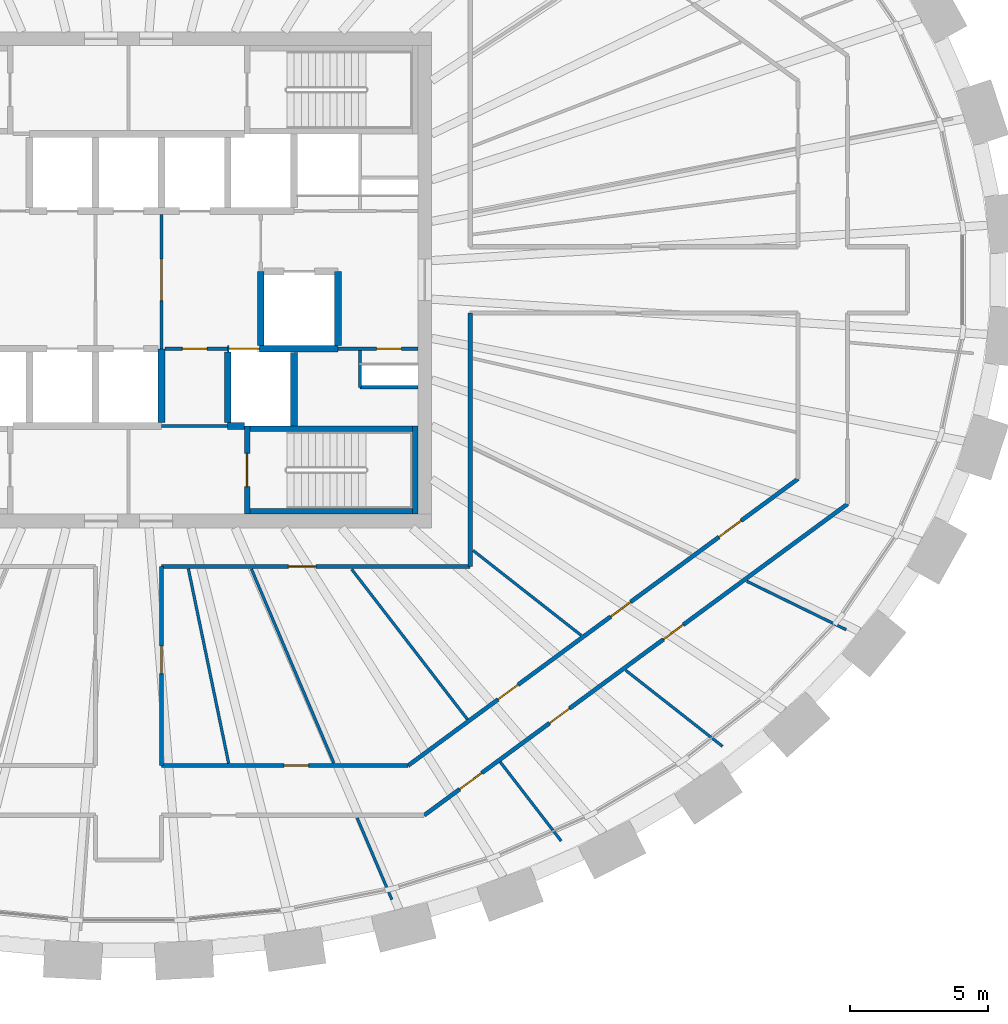
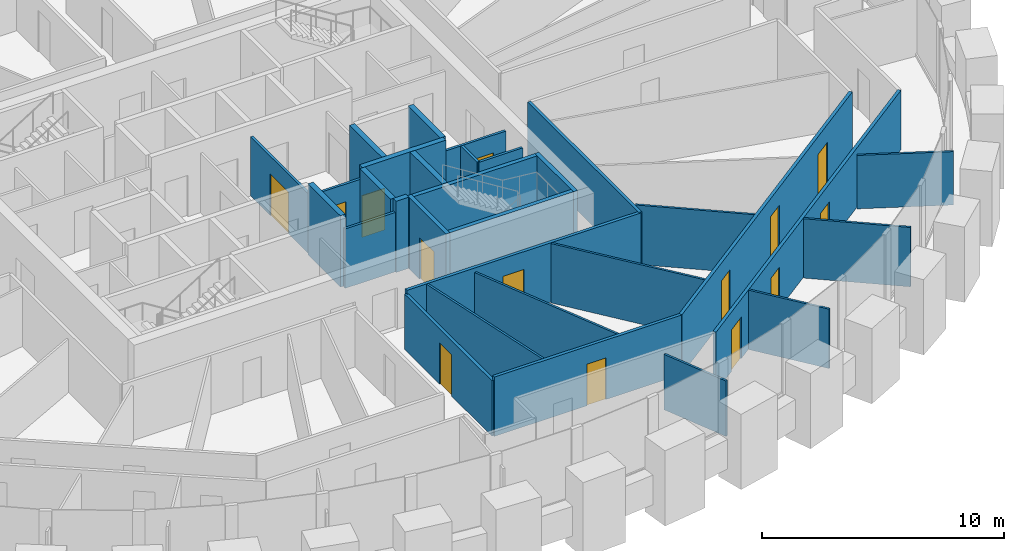
# One storey, part 8 of 12: 31 walls, 14 doors, 14 openings.
"""IFC4 building model written with IfcOpenShell, lengths in metres."""

import ifcopenshell
import ifcopenshell.guid

model = None  # the IFC model being written
_history = None  # IfcOwnerHistory: only IFC2X3 demands one
_inside = {}  # id of a spatial element -> (the spatial element, [elements in it])
_under = {}  # id of a project, library or spatial element -> (it, [spatial elements below it])
_declared = {}  # id of a project -> (the project, [libraries it declares])
_typed = {}  # id of a type object -> (the type object, [elements of that type])
_made_of = {}  # id of a material, layer set ... -> (it, [elements and type objects made of it])


def new_model(schema):
    """Start an empty IFC model of exactly this schema.

    Asked for "IFC4X3", IfcOpenShell would pick the latest addendum, in which some entities
    have other attributes; the version numbers below select the first issue.
    IFC2X3 requires an IfcOwnerHistory on every rooted entity: one is made here for all.
    """
    global model, _history
    if schema == "IFC4X3":
        model = ifcopenshell.file(schema_version=(4, 3, 0, 0))
    else:
        model = ifcopenshell.file(schema=schema)
    _inside.clear()
    _under.clear()
    _declared.clear()
    _typed.clear()
    _made_of.clear()
    _history = None
    if model.schema == "IFC2X3":
        org = make("IfcOrganization", Name="unknown")
        user = make(
            "IfcPersonAndOrganization",
            ThePerson=make("IfcPerson", FamilyName="unknown"),
            TheOrganization=org,
        )
        app = make(
            "IfcApplication",
            ApplicationDeveloper=org,
            Version="unknown",
            ApplicationFullName="unknown",
            ApplicationIdentifier="unknown",
        )
        _history = make(
            "IfcOwnerHistory",
            OwningUser=user,
            OwningApplication=app,
            ChangeAction="ADDED",
            CreationDate=0,
        )
    return model


def make(cls, **values):
    """One entity of the class cls with the attributes given. An attribute that is None is left unset."""
    return model.create_entity(
        cls, **{name: value for name, value in values.items() if value is not None}
    )


def rooted(cls, **values):
    """An entity with a GlobalId (a new one), such as an element, a storey or a relation."""
    return make(cls, GlobalId=ifcopenshell.guid.new(), OwnerHistory=_history, **values)


def si_unit(unit_type, name, prefix=None):
    """IfcSIUnit, for example si_unit("LENGTHUNIT", "METRE", prefix="MILLI")."""
    return make("IfcSIUnit", UnitType=unit_type, Prefix=prefix, Name=name)


def assignment(units):
    """IfcUnitAssignment: the units of a project."""
    return None if units is None else make("IfcUnitAssignment", Units=units)


def point(xyz):
    """IfcCartesianPoint."""
    return None if xyz is None else make("IfcCartesianPoint", Coordinates=xyz)


def direction(xyz):
    """IfcDirection."""
    return None if xyz is None else make("IfcDirection", DirectionRatios=xyz)


def frame(location, z_axis=None, x_axis=None):
    """IfcAxis2Placement3D, a coordinate frame: its origin and axes. An axis left out is left unset."""
    return make(
        "IfcAxis2Placement3D",
        Location=point(location),
        Axis=direction(z_axis),
        RefDirection=direction(x_axis),
    )


def frame_2d(location, x_axis=None):
    """IfcAxis2Placement2D, a coordinate frame in the plane: its origin and x axis."""
    return make(
        "IfcAxis2Placement2D", Location=point(location), RefDirection=direction(x_axis)
    )


def origin():
    """The frame at (0, 0, 0) with its axes left unset."""
    return frame((0.0, 0.0, 0.0))


def place(relative_to, where):
    """IfcLocalPlacement: puts the frame where relative to a parent placement (None: the world)."""
    return make(
        "IfcLocalPlacement", PlacementRelTo=relative_to, RelativePlacement=where
    )


def context(
    kind, dimensions, precision=None, world=None, true_north=None, identifier=None
):
    """IfcGeometricRepresentationContext, for example the 3D "Model" context."""
    return make(
        "IfcGeometricRepresentationContext",
        ContextIdentifier=identifier,
        ContextType=kind,
        CoordinateSpaceDimension=dimensions,
        Precision=precision,
        WorldCoordinateSystem=world,
        TrueNorth=true_north,
    )


def subcontext(parent, identifier, kind, view, scale=None):
    """IfcGeometricRepresentationSubContext, for example "Body" below "Model"."""
    return make(
        "IfcGeometricRepresentationSubContext",
        ContextIdentifier=identifier,
        ContextType=kind,
        ParentContext=parent,
        TargetScale=scale,
        TargetView=view,
    )


def project(units=None, contexts=None):
    """IfcProject with its units and contexts."""
    return rooted(
        "IfcProject",
        Name="project",
        RepresentationContexts=contexts,
        UnitsInContext=assignment(units),
    )


def spatial(cls, under=None, at=None, **own):
    """A site, building, storey or space (cls), placed at a placement, below another one or the project."""
    s = rooted(cls, ObjectPlacement=at, **own)
    if under is not None:
        _under.setdefault(under.id(), (under, []))[1].append(s)
    return s


def profile(cls, at=None, kind="AREA", **sizes):
    """A parametric profile (cls). Its sizes go by their IFC names, for example OverallWidth=200.0."""
    return make(cls, ProfileType=kind, Position=at, **sizes)


def rectangle(**sizes):
    """IfcRectangleProfileDef."""
    return profile("IfcRectangleProfileDef", **sizes)


def extrude(swept, where, along, depth):
    """IfcExtrudedAreaSolid: the profile swept, set in the frame where, extruded along a direction by depth."""
    return make(
        "IfcExtrudedAreaSolid",
        SweptArea=swept,
        Position=where,
        ExtrudedDirection=direction(along),
        Depth=depth,
    )


def shape(context_of_items, identifier, shape_type, items):
    """IfcShapeRepresentation: the items that make up one representation, for example the "Body"."""
    return make(
        "IfcShapeRepresentation",
        ContextOfItems=context_of_items,
        RepresentationIdentifier=identifier,
        RepresentationType=shape_type,
        Items=items,
    )


def source(mapping_origin, context_of_items, identifier, shape_type, items):
    """IfcRepresentationMap: a shape defined once, which mapped items show again and again."""
    return make(
        "IfcRepresentationMap",
        MappingOrigin=mapping_origin,
        MappedRepresentation=shape(context_of_items, identifier, shape_type, items),
    )


def transform(
    local_origin,
    x_axis=None,
    y_axis=None,
    z_axis=None,
    scale=None,
    scale2=None,
    scale3=None,
    uniform=True,
):
    """IfcCartesianTransformationOperator3D, or its non-uniform kind. x_axis, y_axis, z_axis: its Axis1, 2, 3."""
    if uniform:
        return make(
            "IfcCartesianTransformationOperator3D",
            Axis1=direction(x_axis),
            Axis2=direction(y_axis),
            LocalOrigin=point(local_origin),
            Scale=scale,
            Axis3=direction(z_axis),
        )
    return make(
        "IfcCartesianTransformationOperator3DnonUniform",
        Axis1=direction(x_axis),
        Axis2=direction(y_axis),
        LocalOrigin=point(local_origin),
        Scale=scale,
        Axis3=direction(z_axis),
        Scale2=scale2,
        Scale3=scale3,
    )


def mapped(mapping_source, mapping_target):
    """IfcMappedItem: shows the shape of a source again, moved by a transform."""
    return make(
        "IfcMappedItem", MappingSource=mapping_source, MappingTarget=mapping_target
    )


def material(Name=None, Category=None):
    """IfcMaterial."""
    return make("IfcMaterial", Name=Name, Category=Category)


def layer(
    of_material, thickness, ventilated=None, Name=None, Category=None, Priority=None
):
    """IfcMaterialLayer: one layer of a wall or slab, of a material (None: an air gap)."""
    return make(
        "IfcMaterialLayer",
        Material=of_material,
        LayerThickness=thickness,
        IsVentilated=ventilated,
        Name=Name,
        Category=Category,
        Priority=Priority,
    )


def layer_set(layers, Name=None):
    """IfcMaterialLayerSet."""
    return make("IfcMaterialLayerSet", MaterialLayers=layers, LayerSetName=Name)


def made_of(thing, what):
    """Note that an element or type object is made of a material, layer set ...; save() writes the relation."""
    if what is not None:
        _made_of.setdefault(what.id(), (what, []))[1].append(thing)
    return thing


def type_object(cls, material=None, **own):
    """A type object (cls), such as IfcWallType, which elements share."""
    return made_of(rooted(cls, **own), material)


def element(
    cls,
    number,
    at=None,
    inside=None,
    cuts=None,
    type_object=None,
    material=None,
    context=None,
    identifier="Body",
    shape_type=None,
    held_by="IfcProductDefinitionShape",
    body=None,
    shapes=None,
    **own,
):
    """One element of the class cls, such as IfcWall. Its Tag is "e" and its number.

    at: its placement. inside: the storey or other place that contains it. cuts: it is an
    opening in that element (IfcRelVoidsElement). A single representation is given by context,
    identifier, shape_type and body (its items); several are given by shapes. held_by: the class
    of the entity that holds the representations. save() writes the other relations.
    """
    e = rooted(cls, Tag="e%d" % number, ObjectPlacement=at, **own)
    if body is not None:
        shapes = [shape(context, identifier, shape_type, body)]
    if shapes is not None:
        e.Representation = make(held_by, Representations=shapes)
    if inside is not None:
        _inside.setdefault(inside.id(), (inside, []))[1].append(e)
    if cuts is not None:
        rooted(
            "IfcRelVoidsElement", RelatingBuildingElement=cuts, RelatedOpeningElement=e
        )
    if type_object is not None:
        _typed.setdefault(type_object.id(), (type_object, []))[1].append(e)
    return made_of(e, material)


def fill(opening, filler):
    """IfcRelFillsElement: the door or window that sits in an opening."""
    return rooted(
        "IfcRelFillsElement",
        RelatingOpeningElement=opening,
        RelatedBuildingElement=filler,
    )


def aggregate(whole, parts):
    """IfcRelAggregates: a whole, such as a stair, and the parts it consists of."""
    return rooted("IfcRelAggregates", RelatingObject=whole, RelatedObjects=parts)


def save(model, path):
    """Write the relations noted so far, then the file.

    IfcRelAggregates (storeys below a building ...), IfcRelContainedInSpatialStructure (elements
    in a storey), IfcRelDefinesByType, IfcRelAssociatesMaterial and IfcRelDeclares: one each for
    every whole, place, type object, material and project.
    """
    for whole, parts in _under.values():
        aggregate(whole, parts)
    for where, things in _inside.values():
        rooted(
            "IfcRelContainedInSpatialStructure",
            RelatedElements=things,
            RelatingStructure=where,
        )
    for kind, things in _typed.values():
        rooted("IfcRelDefinesByType", RelatedObjects=things, RelatingType=kind)
    for what, things in _made_of.values():
        rooted("IfcRelAssociatesMaterial", RelatedObjects=things, RelatingMaterial=what)
    for by, libraries in _declared.values():
        rooted("IfcRelDeclares", RelatingContext=by, RelatedDefinitions=libraries)
    model.write(path)


model = new_model("IFC4")

# Units and contexts
model_context = context("Model", 3, precision=1e-05, world=origin(), true_north=direction((0.0, 1.0)))
body_context = subcontext(model_context, "Body", "Model", "MODEL_VIEW")
ifc_project = project(units=[si_unit("LENGTHUNIT", "METRE"), si_unit("AREAUNIT", "SQUARE_METRE"), si_unit("VOLUMEUNIT", "CUBIC_METRE"), si_unit("PLANEANGLEUNIT", "RADIAN"), si_unit("MASSUNIT", "GRAM", prefix="KILO")], contexts=[model_context])

# Site, building, storey
site_placement = place(None, origin())
site = spatial("IfcSite", under=ifc_project, at=site_placement, CompositionType="ELEMENT")
building_placement = place(site_placement, origin())
building = spatial("IfcBuilding", under=site, at=building_placement, Name="Embergate Tower", CompositionType="ELEMENT")
storey_placement = place(building_placement, frame((0.0, 0.0, 285.10009765625)))
storey = spatial("IfcBuildingStorey", under=building, at=storey_placement, Name="L66", CompositionType="ELEMENT", Elevation=285.10009765625)

# Walls
ifc_material_1 = material(Name="Concrete C50", Category="concrete")
ifc_layer_1 = layer(ifc_material_1, 0.25)
ifc_layer_set_1 = layer_set([ifc_layer_1], Name="Concrete C50")
wall_type_1 = type_object("IfcWallType", Name="Hoistway wall reinforced concrete 250", PredefinedType="SHEAR", material=ifc_layer_set_1)
shared_shape_1 = source(origin(), body_context, "Body", "SweptSolid", [
    extrude(rectangle(XDim=2.675048828125, YDim=0.25, at=frame_2d((1.33740234375, 0.0))), origin(), (0.0, 0.0, 1.0), 3.599853515625),
])
for number, where, z_axis, x_axis, name in (
    (1, (1.199951171875, -5.175048828125, 0.0), (0.0, 0.0, 1.0), (0.0, 1.0, 0.0), "HW-1 wall"),
    (2, (4.800048828125, -2.375, 0.0), (0.0, 0.0, 1.0), (0.0, 1.0, 0.0), "HW-1 wall"),
    (3, (7.60009765625, -2.375, 0.0), (0.0, 0.0, 1.0), (0.0, 1.0, 0.0), "HW-1 wall"),
):
    element("IfcWall", number, at=place(storey_placement, frame(where, z_axis=z_axis, x_axis=x_axis)), inside=storey, type_object=wall_type_1, Name=name, PredefinedType="SHEAR", context=body_context, shape_type="MappedRepresentation", body=[
        mapped(shared_shape_1, transform((0.0, 0.0, 0.0))),
    ])
ifc_layer_2 = layer(ifc_material_1, 0.199951171875)
ifc_layer_set_2 = layer_set([ifc_layer_2], Name="Concrete C50")
wall_type_2 = type_object("IfcWallType", Name="Stair enclosure wall reinforced concrete 250", PredefinedType="SHEAR", material=ifc_layer_set_2)
shared_shape_2 = source(origin(), body_context, "Body", "SweptSolid", [
    extrude(rectangle(XDim=6.300048828125, YDim=0.199951171875, at=frame_2d((3.14990234375, 0.0))), origin(), (0.0, 0.0, 1.0), 3.599853515625),
])
wall_1_placement = place(storey_placement, frame((4.199951171875, -5.39990234375, 0.0), z_axis=(0.0, 0.0, 1.0), x_axis=(1.0, 0.0, 0.0)))
element("IfcWall", 4, at=wall_1_placement, inside=storey, type_object=wall_type_2, Name="SE-1 wall", PredefinedType="SHEAR", context=body_context, shape_type="MappedRepresentation", body=[
    mapped(shared_shape_2, transform((0.0, 0.0, 0.0))),
])
shared_shape_3 = source(origin(), body_context, "Body", "SweptSolid", [
    extrude(rectangle(XDim=2.550048828125, YDim=0.25, at=frame_2d((1.27490234375, 0.0))), origin(), (0.0, 0.0, 1.0), 3.599853515625),
])
wall_2_placement = place(storey_placement, frame((3.60009765625, -2.625, 0.0), z_axis=(0.0, 0.0, 1.0), x_axis=(0.0, -1.0, 0.0)))
element("IfcWall", 5, at=wall_2_placement, inside=storey, type_object=wall_type_1, Name="HW-1 wall", PredefinedType="SHEAR", context=body_context, shape_type="MappedRepresentation", body=[
    mapped(shared_shape_3, transform((0.0, 0.0, 0.0))),
])

# Wall, opening, door
shared_shape_4 = source(origin(), body_context, "Body", "SweptSolid", [
    extrude(rectangle(XDim=3.199951171875, YDim=0.199951171875, at=frame_2d((1.60009765625, 0.0))), origin(), (0.0, 0.0, 1.0), 3.599853515625),
])
wall_3_placement = place(storey_placement, frame((4.300048828125, -5.300048828125, 0.0), z_axis=(0.0, 0.0, 1.0), x_axis=(0.0, -1.0, 0.0)))
wall_3 = element("IfcWall", 6, at=wall_3_placement, inside=storey, type_object=wall_type_2, Name="SE-1 wall", PredefinedType="SHEAR", context=body_context, shape_type="MappedRepresentation", body=[
    mapped(shared_shape_4, transform((0.0, 0.0, 0.0))),
])
shared_shape_5 = source(origin(), body_context, "Body", "SweptSolid", [
    extrude(rectangle(XDim=1.199951171875, YDim=2.10009765625, at=frame_2d((0.60009765625, 1.050048828125))), frame((0.0, 0.10986328125, 0.0), z_axis=(0.0, -1.0, 0.0), x_axis=(1.0, 0.0, 0.0)), (0.0, 0.0, 1.0), 0.219970703125),
])
opening_1_placement = place(wall_3_placement, frame((1.0, 0.0, 0.0)))
opening_1 = element("IfcOpeningElement", 7, at=opening_1_placement, cuts=wall_3, Name="Opening IF-2", PredefinedType="OPENING", context=body_context, shape_type="MappedRepresentation", body=[
    mapped(shared_shape_5, transform((0.0, 0.0, 0.0))),
])
ifc_material_2 = material(Name="Stair enclosure door 1200")
door_type_1 = type_object("IfcDoorType", Name="Stair enclosure door 1200", OperationType="SINGLE_SWING_LEFT", PredefinedType="DOOR", material=ifc_material_2)
shared_shape_6 = source(origin(), body_context, "Body", "SweptSolid", [
    extrude(rectangle(XDim=1.199951171875, YDim=2.10009765625, at=frame_2d((0.60009765625, 1.050048828125))), frame((0.0, 0.02490234375, 0.0), z_axis=(0.0, -1.0, 0.0), x_axis=(1.0, 0.0, 0.0)), (0.0, 0.0, 1.0), 0.050048828125),
])
door_1_placement = place(opening_1_placement, origin())
door_1 = element("IfcDoor", 8, at=door_1_placement, inside=storey, type_object=door_type_1, Name="IF-2 door", OperationType="SINGLE_SWING_RIGHT", OverallHeight=2.10009765625, OverallWidth=1.199951171875, PredefinedType="DOOR", context=body_context, shape_type="MappedRepresentation", body=[
    mapped(shared_shape_6, transform((0.0, 0.0, 0.0))),
])
fill(opening_1, door_1)

# Walls
wall_4_placement = place(storey_placement, frame((10.39990234375, -8.5, 0.0), z_axis=(0.0, 0.0, 1.0), x_axis=(0.0, 1.0, 0.0)))
element("IfcWall", 9, at=wall_4_placement, inside=storey, type_object=wall_type_2, Name="SE-1 wall", PredefinedType="SHEAR", context=body_context, shape_type="MappedRepresentation", body=[
    mapped(shared_shape_4, transform((0.0, 0.0, 0.0))),
])
shared_shape_7 = source(origin(), body_context, "Body", "SweptSolid", [
    extrude(rectangle(XDim=0.599853515625, YDim=0.25, at=frame_2d((0.2998046875, 0.0))), origin(), (0.0, 0.0, 1.0), 3.599853515625),
])
wall_5_placement = place(storey_placement, frame((3.60009765625, -5.300048828125, 0.0), z_axis=(0.0, 0.0, 1.0), x_axis=(1.0, 0.0, 0.0)))
element("IfcWall", 10, at=wall_5_placement, inside=storey, type_object=wall_type_1, Name="HW-1 wall", PredefinedType="SHEAR", context=body_context, shape_type="MappedRepresentation", body=[
    mapped(shared_shape_7, transform((0.0, 0.0, 0.0))),
])
shared_shape_8 = source(origin(), body_context, "Body", "SweptSolid", [
    extrude(rectangle(XDim=2.671142578125, YDim=0.25, at=frame_2d((1.33544921875, 0.0))), origin(), (0.0, 0.0, 1.0), 3.599853515625),
])
wall_6_placement = place(storey_placement, frame((6.0, -5.298095703125, 0.0), z_axis=(0.0, 0.0, 1.0), x_axis=(0.0, 1.0, 0.0)))
element("IfcWall", 11, at=wall_6_placement, inside=storey, type_object=wall_type_1, Name="HW-1 wall", PredefinedType="SHEAR", context=body_context, shape_type="MappedRepresentation", body=[
    mapped(shared_shape_8, transform((0.0, 0.0, 0.0))),
])
ifc_material_3 = material(Name="Partition dry-lined 100")
ifc_layer_3 = layer(ifc_material_3, 0.10009765625)
ifc_layer_set_3 = layer_set([ifc_layer_3], Name="Partition dry-lined 100")
wall_type_3 = type_object("IfcWallType", Name="Partition dry-lined 100", PredefinedType="PARTITIONING", material=ifc_layer_set_3)
shared_shape_9 = source(origin(), body_context, "Body", "SweptSolid", [
    extrude(rectangle(XDim=4.472412109375, YDim=0.10009765625, at=frame_2d((2.236328125, 0.0))), origin(), (0.0, 0.0, 1.0), 3.0),
])
wall_7_placement = place(storey_placement, frame((18.0390625, -14.166015625, 0.0), z_axis=(0.0, 0.0, 1.0), x_axis=(0.786539906833, -0.617539452148, 0.0)))
element("IfcWall", 12, at=wall_7_placement, inside=storey, type_object=wall_type_3, Name="IP-1 wall", PredefinedType="PARTITIONING", context=body_context, shape_type="MappedRepresentation", body=[
    mapped(shared_shape_9, transform((0.0, 0.0, 0.0))),
])

# Wall, openings, doors
ifc_material_4 = material(Name="Corridor wall dry-lined 150")
ifc_layer_4 = layer(ifc_material_4, 0.14990234375)
ifc_layer_set_4 = layer_set([ifc_layer_4], Name="Corridor wall dry-lined 150")
wall_type_4 = type_object("IfcWallType", Name="Corridor wall dry-lined 150", PredefinedType="PARTITIONING", material=ifc_layer_set_4)
shared_shape_10 = source(origin(), body_context, "Body", "SweptSolid", [
    extrude(rectangle(XDim=19.072265625, YDim=0.14990234375, at=frame_2d((9.5361328125, 0.0))), origin(), (0.0, 0.0, 1.0), 3.0),
])
wall_8_placement = place(storey_placement, frame((10.73193359375, -19.428955078125, 0.0), z_axis=(0.0, 0.0, 1.0), x_axis=(0.805618847725, 0.592434192287, 0.0)))
wall_8 = element("IfcWall", 13, at=wall_8_placement, inside=storey, type_object=wall_type_4, Name="IP-2 wall", PredefinedType="PARTITIONING", context=body_context, shape_type="MappedRepresentation", body=[
    mapped(shared_shape_10, transform((0.0, 0.0, 0.0))),
])
shared_shape_11 = source(origin(), body_context, "Body", "SweptSolid", [
    extrude(rectangle(XDim=1.0, YDim=2.10009765625, at=frame_2d((0.5, 1.050048828125))), frame((0.0, 0.0849609375, 0.0), z_axis=(0.0, -1.0, 0.0), x_axis=(1.0, 0.0, 0.0)), (0.0, 0.0, 1.0), 0.169921875),
])
opening_2_placement = place(wall_8_placement, frame((1.59228515625, 0.0, 0.0)))
opening_2 = element("IfcOpeningElement", 14, at=opening_2_placement, cuts=wall_8, Name="Opening ID-2", PredefinedType="OPENING", context=body_context, shape_type="MappedRepresentation", body=[
    mapped(shared_shape_11, transform((0.0, 0.0, 0.0))),
])
shared_shape_12 = source(origin(), body_context, "Body", "SweptSolid", [
    extrude(rectangle(XDim=0.89990234375, YDim=2.10009765625, at=frame_2d((0.449951171875, 1.050048828125))), frame((0.0, 0.0849609375, 0.0), z_axis=(0.0, -1.0, 0.0), x_axis=(1.0, 0.0, 0.0)), (0.0, 0.0, 1.0), 0.169921875),
])
opening_3_placement = place(wall_8_placement, frame((5.640625, 0.0, 0.0)))
opening_3 = element("IfcOpeningElement", 15, at=opening_3_placement, cuts=wall_8, Name="Opening IF-1c", PredefinedType="OPENING", context=body_context, shape_type="MappedRepresentation", body=[
    mapped(shared_shape_12, transform((0.0, 0.0, 0.0))),
])
opening_4_placement = place(wall_8_placement, frame((10.7734375, 0.0, 0.0)))
opening_4 = element("IfcOpeningElement", 16, at=opening_4_placement, cuts=wall_8, Name="Opening IF-1c", PredefinedType="OPENING", context=body_context, shape_type="MappedRepresentation", body=[
    mapped(shared_shape_12, transform((0.0, 0.0, 0.0))),
])
ifc_material_5 = material(Name="Escape fire door 900")
door_type_2 = type_object("IfcDoorType", Name="Escape fire door 900", OperationType="SINGLE_SWING_LEFT", PredefinedType="DOOR", material=ifc_material_5)
shared_shape_13 = source(origin(), body_context, "Body", "SweptSolid", [
    extrude(rectangle(XDim=0.89990234375, YDim=2.10009765625, at=frame_2d((0.449951171875, 1.050048828125))), frame((0.0, 0.02490234375, 0.0), z_axis=(0.0, -1.0, 0.0), x_axis=(1.0, 0.0, 0.0)), (0.0, 0.0, 1.0), 0.050048828125),
])
door_2_placement = place(opening_3_placement, origin())
door_2 = element("IfcDoor", 17, at=door_2_placement, inside=storey, type_object=door_type_2, Name="IF-1 door", OperationType="SINGLE_SWING_RIGHT", OverallHeight=2.10009765625, OverallWidth=0.89990234375, PredefinedType="DOOR", context=body_context, shape_type="MappedRepresentation", body=[
    mapped(shared_shape_13, transform((0.0, 0.0, 0.0))),
])
fill(opening_3, door_2)
door_3_placement = place(opening_4_placement, origin())
door_3 = element("IfcDoor", 18, at=door_3_placement, inside=storey, type_object=door_type_2, Name="IF-1 door", OperationType="SINGLE_SWING_RIGHT", OverallHeight=2.10009765625, OverallWidth=0.89990234375, PredefinedType="DOOR", context=body_context, shape_type="MappedRepresentation", body=[
    mapped(shared_shape_13, transform((0.0, 0.0, 0.0))),
])
fill(opening_4, door_3)
ifc_material_6 = material(Name="Interior door 1000")
door_type_3 = type_object("IfcDoorType", Name="Interior door 1000", OperationType="SINGLE_SWING_LEFT", PredefinedType="DOOR", material=ifc_material_6)
shared_shape_14 = source(origin(), body_context, "Body", "SweptSolid", [
    extrude(rectangle(XDim=1.0, YDim=2.10009765625, at=frame_2d((0.5, 1.050048828125))), frame((0.0, 0.02490234375, 0.0), z_axis=(0.0, -1.0, 0.0), x_axis=(1.0, 0.0, 0.0)), (0.0, 0.0, 1.0), 0.050048828125),
])
door_4_placement = place(opening_2_placement, origin())
door_4 = element("IfcDoor", 19, at=door_4_placement, inside=storey, type_object=door_type_3, Name="ID-2 door", OperationType="SINGLE_SWING_LEFT", OverallHeight=2.10009765625, OverallWidth=1.0, PredefinedType="DOOR", context=body_context, shape_type="MappedRepresentation", body=[
    mapped(shared_shape_14, transform((0.0, 0.0, 0.0))),
])
fill(opening_2, door_4)

shared_shape_15 = source(origin(), body_context, "Body", "SweptSolid", [
    extrude(rectangle(XDim=17.570068359375, YDim=0.14990234375, at=frame_2d((8.78515625, 0.0))), origin(), (0.0, 0.0, 1.0), 3.0),
])
wall_9_placement = place(storey_placement, frame((10.14208984375, -17.62890625, 0.0), z_axis=(0.0, 0.0, 1.0), x_axis=(0.805628581617, 0.592420955471, 0.0)))
wall_9 = element("IfcWall", 20, at=wall_9_placement, inside=storey, type_object=wall_type_4, Name="IP-2 wall", PredefinedType="PARTITIONING", context=body_context, shape_type="MappedRepresentation", body=[
    mapped(shared_shape_15, transform((0.0, 0.0, 0.0))),
])
opening_5_placement = place(wall_9_placement, frame((4.05615234375, 0.0, 0.0)))
opening_5 = element("IfcOpeningElement", 21, at=opening_5_placement, cuts=wall_9, Name="Opening IF-1c", PredefinedType="OPENING", context=body_context, shape_type="MappedRepresentation", body=[
    mapped(shared_shape_12, transform((0.0, 0.0, 0.0))),
])
opening_6_placement = place(wall_9_placement, frame((9.12939453125, 0.0, 0.0)))
opening_6 = element("IfcOpeningElement", 22, at=opening_6_placement, cuts=wall_9, Name="Opening IF-1c", PredefinedType="OPENING", context=body_context, shape_type="MappedRepresentation", body=[
    mapped(shared_shape_12, transform((0.0, 0.0, 0.0))),
])
opening_7_placement = place(wall_9_placement, frame((14.008544921875, 0.0, 0.0)))
opening_7 = element("IfcOpeningElement", 23, at=opening_7_placement, cuts=wall_9, Name="Opening ID-2", PredefinedType="OPENING", context=body_context, shape_type="MappedRepresentation", body=[
    mapped(shared_shape_11, transform((0.0, 0.0, 0.0))),
])
door_5_placement = place(opening_5_placement, origin())
door_5 = element("IfcDoor", 24, at=door_5_placement, inside=storey, type_object=door_type_2, Name="IF-1 door", OperationType="SINGLE_SWING_RIGHT", OverallHeight=2.10009765625, OverallWidth=0.89990234375, PredefinedType="DOOR", context=body_context, shape_type="MappedRepresentation", body=[
    mapped(shared_shape_13, transform((0.0, 0.0, 0.0))),
])
fill(opening_5, door_5)
door_6_placement = place(opening_6_placement, origin())
door_6 = element("IfcDoor", 25, at=door_6_placement, inside=storey, type_object=door_type_2, Name="IF-1 door", OperationType="SINGLE_SWING_LEFT", OverallHeight=2.10009765625, OverallWidth=0.89990234375, PredefinedType="DOOR", context=body_context, shape_type="MappedRepresentation", body=[
    mapped(shared_shape_13, transform((0.0, 0.0, 0.0))),
])
fill(opening_6, door_6)
door_7_placement = place(opening_7_placement, origin())
door_7 = element("IfcDoor", 26, at=door_7_placement, inside=storey, type_object=door_type_3, Name="ID-2 door", OperationType="SINGLE_SWING_RIGHT", OverallHeight=2.10009765625, OverallWidth=1.0, PredefinedType="DOOR", context=body_context, shape_type="MappedRepresentation", body=[
    mapped(shared_shape_14, transform((0.0, 0.0, 0.0))),
])
fill(opening_7, door_7)

# Wall
shared_shape_16 = source(origin(), body_context, "Body", "SweptSolid", [
    extrude(rectangle(XDim=9.199951171875, YDim=0.14990234375, at=frame_2d((4.60009765625, 0.0))), origin(), (0.0, 0.0, 1.0), 3.0),
])
wall_10_placement = place(storey_placement, frame((12.39990234375, -10.39990234375, 0.0), z_axis=(0.0, 0.0, 1.0), x_axis=(0.0, 1.0, 0.0)))
element("IfcWall", 27, at=wall_10_placement, inside=storey, type_object=wall_type_4, Name="IP-2 wall", PredefinedType="PARTITIONING", context=body_context, shape_type="MappedRepresentation", body=[
    mapped(shared_shape_16, transform((0.0, 0.0, 0.0))),
])

# Wall, opening, door
shared_shape_17 = source(origin(), body_context, "Body", "SweptSolid", [
    extrude(rectangle(XDim=11.199951171875, YDim=0.14990234375, at=frame_2d((5.60009765625, 0.0))), origin(), (0.0, 0.0, 1.0), 3.0),
])
wall_11_placement = place(storey_placement, frame((12.39990234375, -10.39990234375, 0.0), z_axis=(0.0, 0.0, 1.0), x_axis=(-1.0, 0.0, 0.0)))
wall_11 = element("IfcWall", 28, at=wall_11_placement, inside=storey, type_object=wall_type_4, Name="IP-2 wall", PredefinedType="PARTITIONING", context=body_context, shape_type="MappedRepresentation", body=[
    mapped(shared_shape_17, transform((0.0, 0.0, 0.0))),
])
opening_8_placement = place(wall_11_placement, frame((5.60107421875, 0.0, 0.0)))
opening_8 = element("IfcOpeningElement", 29, at=opening_8_placement, cuts=wall_11, Name="Opening ID-2", PredefinedType="OPENING", context=body_context, shape_type="MappedRepresentation", body=[
    mapped(shared_shape_11, transform((0.0, 0.0, 0.0))),
])
door_8_placement = place(opening_8_placement, origin())
door_8 = element("IfcDoor", 30, at=door_8_placement, inside=storey, type_object=door_type_3, Name="ID-2 door", OperationType="SINGLE_SWING_RIGHT", OverallHeight=2.10009765625, OverallWidth=1.0, PredefinedType="DOOR", context=body_context, shape_type="MappedRepresentation", body=[
    mapped(shared_shape_14, transform((0.0, 0.0, 0.0))),
])
fill(opening_8, door_8)

shared_shape_18 = source(origin(), body_context, "Body", "SweptSolid", [
    extrude(rectangle(XDim=8.942138671875, YDim=0.14990234375, at=frame_2d((4.47119140625, 0.0))), origin(), (0.0, 0.0, 1.0), 3.0),
])
wall_12_placement = place(storey_placement, frame((1.199951171875, -17.62890625, 0.0), z_axis=(0.0, 0.0, 1.0), x_axis=(1.0, 0.0, 0.0)))
wall_12 = element("IfcWall", 31, at=wall_12_placement, inside=storey, type_object=wall_type_4, Name="IP-2 wall", PredefinedType="PARTITIONING", context=body_context, shape_type="MappedRepresentation", body=[
    mapped(shared_shape_18, transform((0.0, 0.0, 0.0))),
])
opening_9_placement = place(wall_12_placement, frame((4.43701171875, 0.0, 0.0)))
opening_9 = element("IfcOpeningElement", 32, at=opening_9_placement, cuts=wall_12, Name="Opening IF-1c", PredefinedType="OPENING", context=body_context, shape_type="MappedRepresentation", body=[
    mapped(shared_shape_12, transform((0.0, 0.0, 0.0))),
])
door_9_placement = place(opening_9_placement, origin())
door_9 = element("IfcDoor", 33, at=door_9_placement, inside=storey, type_object=door_type_2, Name="IF-1 door", OperationType="SINGLE_SWING_LEFT", OverallHeight=2.10009765625, OverallWidth=0.89990234375, PredefinedType="DOOR", context=body_context, shape_type="MappedRepresentation", body=[
    mapped(shared_shape_13, transform((0.0, 0.0, 0.0))),
])
fill(opening_9, door_9)

shared_shape_19 = source(origin(), body_context, "Body", "SweptSolid", [
    extrude(rectangle(XDim=7.22900390625, YDim=0.14990234375, at=frame_2d((3.614501953125, 0.0))), origin(), (0.0, 0.0, 1.0), 2.7998046875),
])
wall_13_placement = place(storey_placement, frame((1.199951171875, -10.39990234375, 0.0), z_axis=(0.0, 0.0, 1.0), x_axis=(0.0, -1.0, 0.0)))
wall_13 = element("IfcWall", 34, at=wall_13_placement, inside=storey, type_object=wall_type_4, Name="IP-2 wall", PredefinedType="PARTITIONING", context=body_context, shape_type="MappedRepresentation", body=[
    mapped(shared_shape_19, transform((0.0, 0.0, 0.0))),
])
opening_10_placement = place(wall_13_placement, frame((2.888916015625, 0.0, 0.0)))
opening_10 = element("IfcOpeningElement", 35, at=opening_10_placement, cuts=wall_13, Name="Opening ID-2", PredefinedType="OPENING", context=body_context, shape_type="MappedRepresentation", body=[
    mapped(shared_shape_11, transform((0.0, 0.0, 0.0))),
])
door_10_placement = place(opening_10_placement, origin())
door_10 = element("IfcDoor", 36, at=door_10_placement, inside=storey, type_object=door_type_3, Name="ID-2 door", OperationType="SINGLE_SWING_LEFT", OverallHeight=2.10009765625, OverallWidth=1.0, PredefinedType="DOOR", context=body_context, shape_type="MappedRepresentation", body=[
    mapped(shared_shape_14, transform((0.0, 0.0, 0.0))),
])
fill(opening_10, door_10)

# Walls
shared_shape_20 = source(origin(), body_context, "Body", "SweptSolid", [
    extrude(rectangle(XDim=4.0029296875, YDim=0.10009765625, at=frame_2d((2.00146484375, 0.0))), origin(), (0.0, 0.0, 1.0), 2.699951171875),
])
wall_14_placement = place(storey_placement, frame((22.44189453125, -10.93994140625, 0.0), z_axis=(0.0, 0.0, 1.0), x_axis=(0.898870999174, -0.438213334853, 0.0)))
element("IfcWall", 37, at=wall_14_placement, inside=storey, type_object=wall_type_3, Name="IP-1 wall", PredefinedType="PARTITIONING", context=body_context, shape_type="MappedRepresentation", body=[
    mapped(shared_shape_20, transform((0.0, 0.0, 0.0))),
])
shared_shape_21 = source(origin(), body_context, "Body", "SweptSolid", [
    extrude(rectangle(XDim=3.222412109375, YDim=0.10009765625, at=frame_2d((1.611328125, 0.0))), origin(), (0.0, 0.0, 1.0), 2.7998046875),
])
wall_15_placement = place(storey_placement, frame((8.297119140625, -19.52392578125, 0.0), z_axis=(0.0, 0.0, 1.0), x_axis=(0.390927263481, -0.920421574425, 0.0)))
element("IfcWall", 38, at=wall_15_placement, inside=storey, type_object=wall_type_3, Name="IP-1 wall", PredefinedType="PARTITIONING", context=body_context, shape_type="MappedRepresentation", body=[
    mapped(shared_shape_21, transform((0.0, 0.0, 0.0))),
])
shared_shape_22 = source(origin(), body_context, "Body", "SweptSolid", [
    extrude(rectangle(XDim=7.649169921875, YDim=0.10009765625, at=frame_2d((3.82470703125, 0.0))), origin(), (0.0, 0.0, 1.0), 2.7998046875),
])
wall_16_placement = place(storey_placement, frame((4.4599609375, -10.4951171875, 0.0), z_axis=(0.0, 0.0, 1.0), x_axis=(0.391144019601, -0.920329482267, 0.0)))
element("IfcWall", 39, at=wall_16_placement, inside=storey, type_object=wall_type_3, Name="IP-1 wall", PredefinedType="PARTITIONING", context=body_context, shape_type="MappedRepresentation", body=[
    mapped(shared_shape_22, transform((0.0, 0.0, 0.0))),
])
shared_shape_23 = source(origin(), body_context, "Body", "SweptSolid", [
    extrude(rectangle(XDim=7.208740234375, YDim=0.10009765625, at=frame_2d((3.6044921875, 0.0))), origin(), (0.0, 0.0, 1.0), 3.0),
])
wall_17_placement = place(storey_placement, frame((2.172119140625, -10.485107421875, 0.0), z_axis=(0.0, 0.0, 1.0), x_axis=(0.202800465458, -0.979220083132, 0.0)))
element("IfcWall", 40, at=wall_17_placement, inside=storey, type_object=wall_type_3, Name="IP-1 wall", PredefinedType="PARTITIONING", context=body_context, shape_type="MappedRepresentation", body=[
    mapped(shared_shape_23, transform((0.0, 0.0, 0.0))),
])
shared_shape_24 = source(origin(), body_context, "Body", "SweptSolid", [
    extrude(rectangle(XDim=3.621826171875, YDim=0.10009765625, at=frame_2d((1.81103515625, 0.0))), origin(), (0.0, 0.0, 1.0), 3.0),
])
wall_18_placement = place(storey_placement, frame((13.489013671875, -17.4951171875, 0.0), z_axis=(0.0, 0.0, 1.0), x_axis=(0.610720139091, -0.791846520298, 0.0)))
element("IfcWall", 41, at=wall_18_placement, inside=storey, type_object=wall_type_3, Name="IP-1 wall", PredefinedType="PARTITIONING", context=body_context, shape_type="MappedRepresentation", body=[
    mapped(shared_shape_24, transform((0.0, 0.0, 0.0))),
])
shared_shape_25 = source(origin(), body_context, "Body", "SweptSolid", [
    extrude(rectangle(XDim=6.8759765625, YDim=0.10009765625, at=frame_2d((3.43798828125, 0.0))), origin(), (0.0, 0.0, 1.0), 3.0),
])
wall_19_placement = place(storey_placement, frame((8.10009765625, -10.5048828125, 0.0), z_axis=(0.0, 0.0, 1.0), x_axis=(0.610666073222, -0.791888216237, 0.0)))
element("IfcWall", 42, at=wall_19_placement, inside=storey, type_object=wall_type_3, Name="IP-1 wall", PredefinedType="PARTITIONING", context=body_context, shape_type="MappedRepresentation", body=[
    mapped(shared_shape_25, transform((0.0, 0.0, 0.0))),
])
shared_shape_26 = source(origin(), body_context, "Body", "SweptSolid", [
    extrude(rectangle(XDim=4.983154296875, YDim=0.10009765625, at=frame_2d((2.49169921875, 0.0))), origin(), (0.0, 0.0, 1.0), 3.0),
])
wall_20_placement = place(storey_placement, frame((12.506103515625, -9.821044921875, 0.0), z_axis=(0.0, 0.0, 1.0), x_axis=(0.786444129248, -0.617661421469, 0.0)))
element("IfcWall", 43, at=wall_20_placement, inside=storey, type_object=wall_type_3, Name="IP-1 wall", PredefinedType="PARTITIONING", context=body_context, shape_type="MappedRepresentation", body=[
    mapped(shared_shape_26, transform((0.0, 0.0, 0.0))),
])

# Wall, opening, door
shared_shape_27 = source(origin(), body_context, "Body", "SweptSolid", [
    extrude(rectangle(XDim=3.997802734375, YDim=0.25, at=frame_2d((1.9990234375, 0.0))), origin(), (0.0, 0.0, 1.0), 3.599853515625),
])
wall_21_placement = place(storey_placement, frame((7.597900390625, -2.5, 0.0), z_axis=(0.0, 0.0, 1.0), x_axis=(-1.0, 0.0, 0.0)))
wall_21 = element("IfcWall", 44, at=wall_21_placement, inside=storey, type_object=wall_type_1, Name="HW-1 wall", PredefinedType="SHEAR", context=body_context, shape_type="MappedRepresentation", body=[
    mapped(shared_shape_27, transform((0.0, 0.0, 0.0))),
])
shared_shape_28 = source(origin(), body_context, "Body", "SweptSolid", [
    extrude(rectangle(XDim=1.10009765625, YDim=2.10009765625, at=frame_2d((0.550048828125, 1.050048828125))), frame((0.0, 0.135009765625, 0.0), z_axis=(0.0, -1.0, 0.0), x_axis=(1.0, 0.0, 0.0)), (0.0, 0.0, 1.0), 0.27001953125),
])
opening_11_placement = place(wall_21_placement, frame((2.847900390625, 0.0, 0.0)))
opening_11 = element("IfcOpeningElement", 45, at=opening_11_placement, cuts=wall_21, Name="Opening LD", PredefinedType="OPENING", context=body_context, shape_type="MappedRepresentation", body=[
    mapped(shared_shape_28, transform((0.0, 0.0, 0.0))),
])
ifc_material_7 = material(Name="Landing door sliding 1100")
door_type_4 = type_object("IfcDoorType", Name="Landing door sliding 1100", OperationType="SLIDING_TO_LEFT", PredefinedType="DOOR", material=ifc_material_7)
shared_shape_29 = source(origin(), body_context, "Body", "SweptSolid", [
    extrude(rectangle(XDim=1.10009765625, YDim=2.10009765625, at=frame_2d((0.550048828125, 1.050048828125))), frame((0.0, 0.02490234375, 0.0), z_axis=(0.0, -1.0, 0.0), x_axis=(1.0, 0.0, 0.0)), (0.0, 0.0, 1.0), 0.050048828125),
])
door_11_placement = place(opening_11_placement, origin())
door_11 = element("IfcDoor", 46, at=door_11_placement, inside=storey, type_object=door_type_4, Name="LD door", OperationType="SLIDING_TO_RIGHT", OverallHeight=2.10009765625, OverallWidth=1.10009765625, PredefinedType="DOOR", context=body_context, shape_type="MappedRepresentation", body=[
    mapped(shared_shape_29, transform((0.0, 0.0, 0.0))),
])
fill(opening_11, door_11)

ifc_material_8 = material(Name="Core partition blockwork 120")
ifc_layer_5 = layer(ifc_material_8, 0.1201171875)
ifc_layer_set_5 = layer_set([ifc_layer_5], Name="Core partition blockwork 120")
wall_type_5 = type_object("IfcWallType", Name="Core partition blockwork 120", PredefinedType="PARTITIONING", material=ifc_layer_set_5)
shared_shape_30 = source(origin(), body_context, "Body", "SweptSolid", [
    extrude(rectangle(XDim=4.875, YDim=0.1201171875, at=frame_2d((2.4375, 0.0))), origin(), (0.0, 0.0, 1.0), 3.0),
])
wall_22_placement = place(storey_placement, frame((1.199951171875, -2.5, 0.0), z_axis=(0.0, 0.0, 1.0), x_axis=(0.0, 1.0, 0.0)))
wall_22 = element("IfcWall", 47, at=wall_22_placement, inside=storey, type_object=wall_type_5, Name="IP-3 wall", PredefinedType="PARTITIONING", context=body_context, shape_type="MappedRepresentation", body=[
    mapped(shared_shape_30, transform((0.0, 0.0, 0.0))),
])
shared_shape_31 = source(origin(), body_context, "Body", "SweptSolid", [
    extrude(rectangle(XDim=1.5, YDim=2.10009765625, at=frame_2d((0.75, 1.050048828125))), frame((0.0, 0.070068359375, 0.0), z_axis=(0.0, -1.0, 0.0), x_axis=(1.0, 0.0, 0.0)), (0.0, 0.0, 1.0), 0.14013671875),
])
opening_12_placement = place(wall_22_placement, frame((1.75, 0.0, 0.0)))
opening_12 = element("IfcOpeningElement", 48, at=opening_12_placement, cuts=wall_22, Name="Opening IF-3", PredefinedType="OPENING", context=body_context, shape_type="MappedRepresentation", body=[
    mapped(shared_shape_31, transform((0.0, 0.0, 0.0))),
])
ifc_material_9 = material(Name="Lobby fire door pair 1500")
door_type_5 = type_object("IfcDoorType", Name="Lobby fire door pair 1500", OperationType="DOUBLE_DOOR_SINGLE_SWING", PredefinedType="DOOR", material=ifc_material_9)
shared_shape_32 = source(origin(), body_context, "Body", "SweptSolid", [
    extrude(rectangle(XDim=1.5, YDim=2.10009765625, at=frame_2d((0.75, 1.050048828125))), frame((0.0, 0.02490234375, 0.0), z_axis=(0.0, -1.0, 0.0), x_axis=(1.0, 0.0, 0.0)), (0.0, 0.0, 1.0), 0.050048828125),
])
door_12_placement = place(opening_12_placement, origin())
door_12 = element("IfcDoor", 49, at=door_12_placement, inside=storey, type_object=door_type_5, Name="IF-3 door", OperationType="DOUBLE_DOOR_SINGLE_SWING", OverallHeight=2.10009765625, OverallWidth=1.5, PredefinedType="DOOR", context=body_context, shape_type="MappedRepresentation", body=[
    mapped(shared_shape_32, transform((0.0, 0.0, 0.0))),
])
fill(opening_12, door_12)

shared_shape_33 = source(origin(), body_context, "Body", "SweptSolid", [
    extrude(rectangle(XDim=2.275146484375, YDim=0.1201171875, at=frame_2d((1.1376953125, 0.0))), origin(), (0.0, 0.0, 1.0), 3.0),
])
wall_23_placement = place(storey_placement, frame((1.324951171875, -2.5, 0.0), z_axis=(0.0, 0.0, 1.0), x_axis=(1.0, 0.0, 0.0)))
wall_23 = element("IfcWall", 50, at=wall_23_placement, inside=storey, type_object=wall_type_5, Name="IP-3 wall", PredefinedType="PARTITIONING", context=body_context, shape_type="MappedRepresentation", body=[
    mapped(shared_shape_33, transform((0.0, 0.0, 0.0))),
])
shared_shape_34 = source(origin(), body_context, "Body", "SweptSolid", [
    extrude(rectangle(XDim=0.89990234375, YDim=2.10009765625, at=frame_2d((0.449951171875, 1.050048828125))), frame((0.0, 0.070068359375, 0.0), z_axis=(0.0, -1.0, 0.0), x_axis=(1.0, 0.0, 0.0)), (0.0, 0.0, 1.0), 0.14013671875),
])
opening_13_placement = place(wall_23_placement, frame((0.625, 0.0, 0.0)))
opening_13 = element("IfcOpeningElement", 51, at=opening_13_placement, cuts=wall_23, Name="Opening ID-1", PredefinedType="OPENING", context=body_context, shape_type="MappedRepresentation", body=[
    mapped(shared_shape_34, transform((0.0, 0.0, 0.0))),
])
ifc_material_10 = material(Name="Interior door 900")
door_type_6 = type_object("IfcDoorType", Name="Interior door 900", OperationType="SINGLE_SWING_LEFT", PredefinedType="DOOR", material=ifc_material_10)
door_13_placement = place(opening_13_placement, origin())
door_13 = element("IfcDoor", 52, at=door_13_placement, inside=storey, type_object=door_type_6, Name="ID-1 door", OperationType="SINGLE_SWING_RIGHT", OverallHeight=2.10009765625, OverallWidth=0.89990234375, PredefinedType="DOOR", context=body_context, shape_type="MappedRepresentation", body=[
    mapped(shared_shape_13, transform((0.0, 0.0, 0.0))),
])
fill(opening_13, door_13)

shared_shape_35 = source(origin(), body_context, "Body", "SweptSolid", [
    extrude(rectangle(XDim=2.89794921875, YDim=0.1201171875, at=frame_2d((1.448974609375, 0.0))), origin(), (0.0, 0.0, 1.0), 3.0),
])
wall_24_placement = place(storey_placement, frame((7.60205078125, -2.5, 0.0), z_axis=(0.0, 0.0, 1.0), x_axis=(1.0, 0.0, 0.0)))
wall_24 = element("IfcWall", 53, at=wall_24_placement, inside=storey, type_object=wall_type_5, Name="IP-3 wall", PredefinedType="PARTITIONING", context=body_context, shape_type="MappedRepresentation", body=[
    mapped(shared_shape_35, transform((0.0, 0.0, 0.0))),
])
opening_14_placement = place(wall_24_placement, frame((1.39794921875, 0.0, 0.0)))
opening_14 = element("IfcOpeningElement", 54, at=opening_14_placement, cuts=wall_24, Name="Opening ID-1", PredefinedType="OPENING", context=body_context, shape_type="MappedRepresentation", body=[
    mapped(shared_shape_34, transform((0.0, 0.0, 0.0))),
])
door_14_placement = place(opening_14_placement, origin())
door_14 = element("IfcDoor", 55, at=door_14_placement, inside=storey, type_object=door_type_6, Name="ID-1 door", OperationType="SINGLE_SWING_LEFT", OverallHeight=2.10009765625, OverallWidth=0.89990234375, PredefinedType="DOOR", context=body_context, shape_type="MappedRepresentation", body=[
    mapped(shared_shape_13, transform((0.0, 0.0, 0.0))),
])
fill(opening_14, door_14)

# Walls
shared_shape_36 = source(origin(), body_context, "Body", "SweptSolid", [
    extrude(rectangle(XDim=2.400146484375, YDim=0.1201171875, at=frame_2d((1.2001953125, 0.0))), origin(), (0.0, 0.0, 1.0), 3.0),
])
wall_25_placement = place(storey_placement, frame((3.60009765625, -5.300048828125, 0.0), z_axis=(0.0, 0.0, 1.0), x_axis=(-1.0, 0.0, 0.0)))
element("IfcWall", 56, at=wall_25_placement, inside=storey, type_object=wall_type_5, Name="IP-3 wall", PredefinedType="PARTITIONING", context=body_context, shape_type="MappedRepresentation", body=[
    mapped(shared_shape_36, transform((0.0, 0.0, 0.0))),
])
shared_shape_37 = source(origin(), body_context, "Body", "SweptSolid", [
    extrude(rectangle(XDim=6.298095703125, YDim=0.199951171875, at=frame_2d((3.14892578125, 0.0))), origin(), (0.0, 0.0, 1.0), 3.599853515625),
])
wall_26_placement = place(storey_placement, frame((4.201904296875, -8.39990234375, 0.0), z_axis=(0.0, 0.0, 1.0), x_axis=(1.0, 0.0, 0.0)))
element("IfcWall", 57, at=wall_26_placement, inside=storey, type_object=wall_type_2, Name="SE-1 wall", PredefinedType="SHEAR", context=body_context, shape_type="MappedRepresentation", body=[
    mapped(shared_shape_37, transform((0.0, 0.0, 0.0))),
])
shared_shape_38 = source(origin(), body_context, "Body", "SweptSolid", [
    extrude(rectangle(XDim=1.337890625, YDim=0.1201171875, at=frame_2d((0.6689453125, 0.0))), origin(), (0.0, 0.0, 1.0), 3.0),
])
wall_27_placement = place(storey_placement, frame((8.39990234375, -2.56201171875, 0.0), z_axis=(0.0, 0.0, 1.0), x_axis=(0.0, -1.0, 0.0)))
element("IfcWall", 58, at=wall_27_placement, inside=storey, type_object=wall_type_5, Name="IP-3 wall", PredefinedType="PARTITIONING", context=body_context, shape_type="MappedRepresentation", body=[
    mapped(shared_shape_38, transform((0.0, 0.0, 0.0))),
])
shared_shape_39 = source(origin(), body_context, "Body", "SweptSolid", [
    extrude(rectangle(XDim=2.10009765625, YDim=0.1201171875, at=frame_2d((1.050048828125, 0.0))), origin(), (0.0, 0.0, 1.0), 3.0),
])
wall_28_placement = place(storey_placement, frame((8.39990234375, -3.89990234375, 0.0), z_axis=(0.0, 0.0, 1.0), x_axis=(1.0, 0.0, 0.0)))
element("IfcWall", 59, at=wall_28_placement, inside=storey, type_object=wall_type_5, Name="IP-3 wall", PredefinedType="PARTITIONING", context=body_context, shape_type="MappedRepresentation", body=[
    mapped(shared_shape_39, transform((0.0, 0.0, 0.0))),
])

save(model, "model.ifc")
